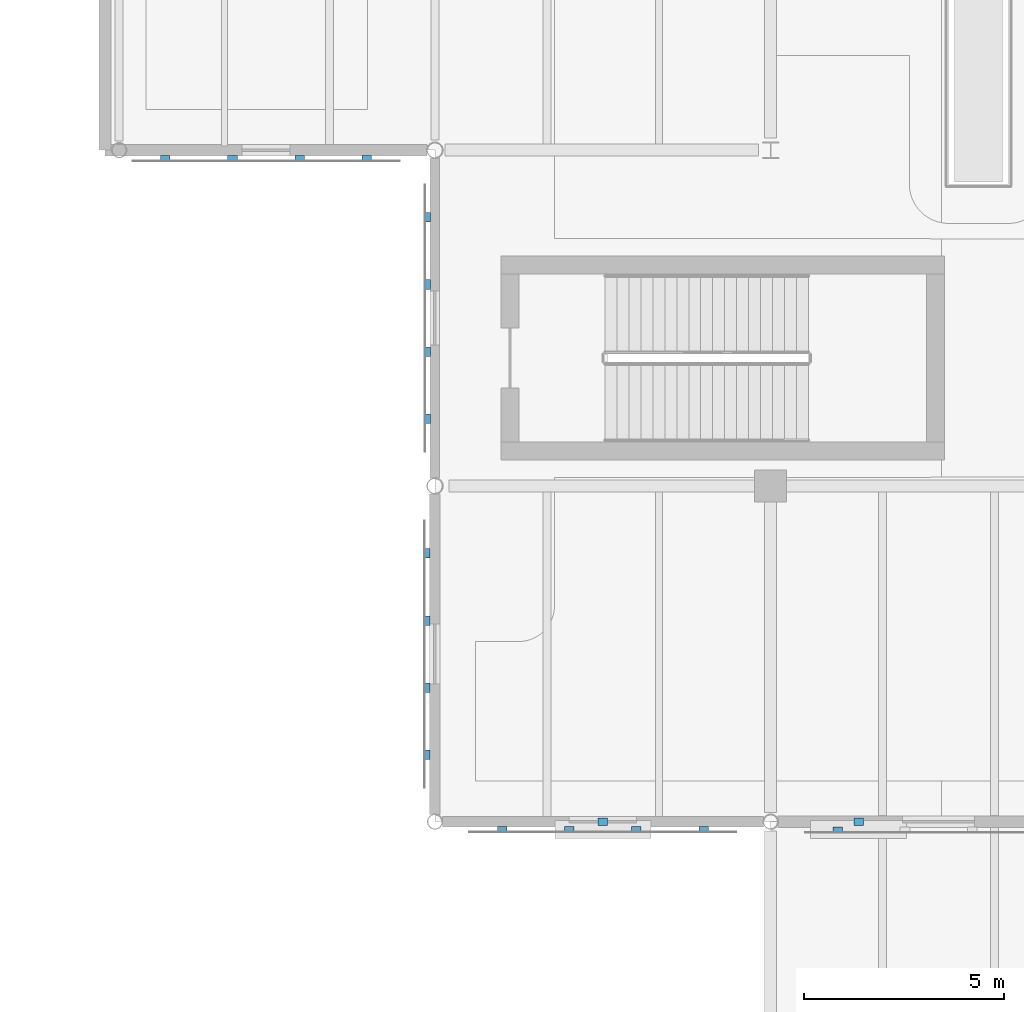
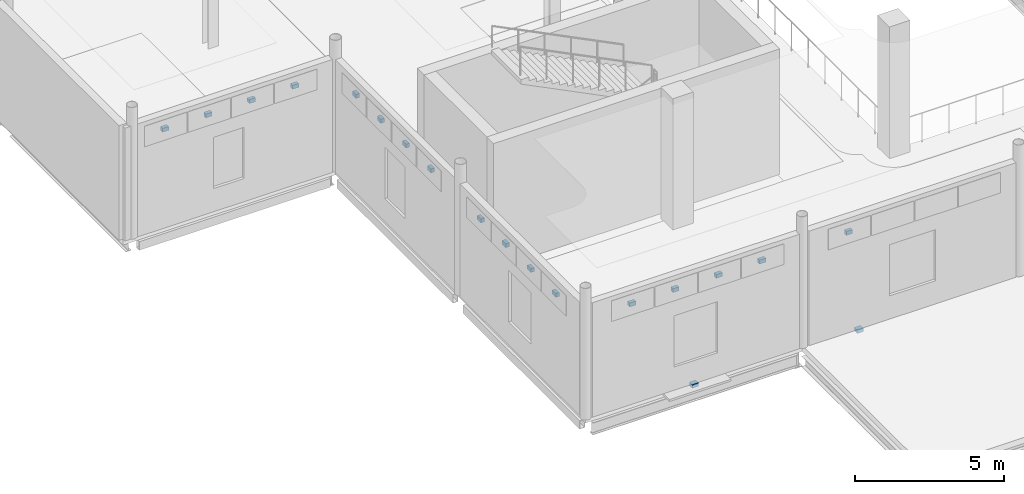
# One storey, part 76 of 110: 19 discrete accessories.
"""IFC4 building model written with IfcOpenShell, lengths in metres."""

import ifcopenshell
import ifcopenshell.guid

model = None  # the IFC model being written
_history = None  # IfcOwnerHistory: only IFC2X3 demands one
_inside = {}  # id of a spatial element -> (the spatial element, [elements in it])
_under = {}  # id of a project, library or spatial element -> (it, [spatial elements below it])
_declared = {}  # id of a project -> (the project, [libraries it declares])
_typed = {}  # id of a type object -> (the type object, [elements of that type])
_made_of = {}  # id of a material, layer set ... -> (it, [elements and type objects made of it])


def new_model(schema):
    """Start an empty IFC model of exactly this schema.

    Asked for "IFC4X3", IfcOpenShell would pick the latest addendum, in which some entities
    have other attributes; the version numbers below select the first issue.
    IFC2X3 requires an IfcOwnerHistory on every rooted entity: one is made here for all.
    """
    global model, _history
    if schema == "IFC4X3":
        model = ifcopenshell.file(schema_version=(4, 3, 0, 0))
    else:
        model = ifcopenshell.file(schema=schema)
    _inside.clear()
    _under.clear()
    _declared.clear()
    _typed.clear()
    _made_of.clear()
    _history = None
    if model.schema == "IFC2X3":
        org = make("IfcOrganization", Name="unknown")
        user = make(
            "IfcPersonAndOrganization",
            ThePerson=make("IfcPerson", FamilyName="unknown"),
            TheOrganization=org,
        )
        app = make(
            "IfcApplication",
            ApplicationDeveloper=org,
            Version="unknown",
            ApplicationFullName="unknown",
            ApplicationIdentifier="unknown",
        )
        _history = make(
            "IfcOwnerHistory",
            OwningUser=user,
            OwningApplication=app,
            ChangeAction="ADDED",
            CreationDate=0,
        )
    return model


def make(cls, **values):
    """One entity of the class cls with the attributes given. An attribute that is None is left unset."""
    return model.create_entity(
        cls, **{name: value for name, value in values.items() if value is not None}
    )


def rooted(cls, **values):
    """An entity with a GlobalId (a new one), such as an element, a storey or a relation."""
    return make(cls, GlobalId=ifcopenshell.guid.new(), OwnerHistory=_history, **values)


def si_unit(unit_type, name, prefix=None):
    """IfcSIUnit, for example si_unit("LENGTHUNIT", "METRE", prefix="MILLI")."""
    return make("IfcSIUnit", UnitType=unit_type, Prefix=prefix, Name=name)


def assignment(units):
    """IfcUnitAssignment: the units of a project."""
    return None if units is None else make("IfcUnitAssignment", Units=units)


def point(xyz):
    """IfcCartesianPoint."""
    return None if xyz is None else make("IfcCartesianPoint", Coordinates=xyz)


def direction(xyz):
    """IfcDirection."""
    return None if xyz is None else make("IfcDirection", DirectionRatios=xyz)


def frame(location, z_axis=None, x_axis=None):
    """IfcAxis2Placement3D, a coordinate frame: its origin and axes. An axis left out is left unset."""
    return make(
        "IfcAxis2Placement3D",
        Location=point(location),
        Axis=direction(z_axis),
        RefDirection=direction(x_axis),
    )


def frame_2d(location, x_axis=None):
    """IfcAxis2Placement2D, a coordinate frame in the plane: its origin and x axis."""
    return make(
        "IfcAxis2Placement2D", Location=point(location), RefDirection=direction(x_axis)
    )


def origin():
    """The frame at (0, 0, 0) with its axes left unset."""
    return frame((0.0, 0.0, 0.0))


def origin_2d():
    """The frame at (0, 0) in the plane with its x axis left unset."""
    return frame_2d((0.0, 0.0))


def place(relative_to, where):
    """IfcLocalPlacement: puts the frame where relative to a parent placement (None: the world)."""
    return make(
        "IfcLocalPlacement", PlacementRelTo=relative_to, RelativePlacement=where
    )


def context(
    kind, dimensions, precision=None, world=None, true_north=None, identifier=None
):
    """IfcGeometricRepresentationContext, for example the 3D "Model" context."""
    return make(
        "IfcGeometricRepresentationContext",
        ContextIdentifier=identifier,
        ContextType=kind,
        CoordinateSpaceDimension=dimensions,
        Precision=precision,
        WorldCoordinateSystem=world,
        TrueNorth=true_north,
    )


def subcontext(parent, identifier, kind, view, scale=None):
    """IfcGeometricRepresentationSubContext, for example "Body" below "Model"."""
    return make(
        "IfcGeometricRepresentationSubContext",
        ContextIdentifier=identifier,
        ContextType=kind,
        ParentContext=parent,
        TargetScale=scale,
        TargetView=view,
    )


def project(units=None, contexts=None):
    """IfcProject with its units and contexts."""
    return rooted(
        "IfcProject",
        Name="project",
        RepresentationContexts=contexts,
        UnitsInContext=assignment(units),
    )


def spatial(cls, under=None, at=None, **own):
    """A site, building, storey or space (cls), placed at a placement, below another one or the project."""
    s = rooted(cls, ObjectPlacement=at, **own)
    if under is not None:
        _under.setdefault(under.id(), (under, []))[1].append(s)
    return s


def profile(cls, at=None, kind="AREA", **sizes):
    """A parametric profile (cls). Its sizes go by their IFC names, for example OverallWidth=200.0."""
    return make(cls, ProfileType=kind, Position=at, **sizes)


def rectangle(**sizes):
    """IfcRectangleProfileDef."""
    return profile("IfcRectangleProfileDef", **sizes)


def extrude(swept, where, along, depth):
    """IfcExtrudedAreaSolid: the profile swept, set in the frame where, extruded along a direction by depth."""
    return make(
        "IfcExtrudedAreaSolid",
        SweptArea=swept,
        Position=where,
        ExtrudedDirection=direction(along),
        Depth=depth,
    )


def shape(context_of_items, identifier, shape_type, items):
    """IfcShapeRepresentation: the items that make up one representation, for example the "Body"."""
    return make(
        "IfcShapeRepresentation",
        ContextOfItems=context_of_items,
        RepresentationIdentifier=identifier,
        RepresentationType=shape_type,
        Items=items,
    )


def material(Name=None, Category=None):
    """IfcMaterial."""
    return make("IfcMaterial", Name=Name, Category=Category)


def made_of(thing, what):
    """Note that an element or type object is made of a material, layer set ...; save() writes the relation."""
    if what is not None:
        _made_of.setdefault(what.id(), (what, []))[1].append(thing)
    return thing


def type_object(cls, material=None, **own):
    """A type object (cls), such as IfcWallType, which elements share."""
    return made_of(rooted(cls, **own), material)


def element(
    cls,
    number,
    at=None,
    inside=None,
    cuts=None,
    type_object=None,
    material=None,
    context=None,
    identifier="Body",
    shape_type=None,
    held_by="IfcProductDefinitionShape",
    body=None,
    shapes=None,
    **own,
):
    """One element of the class cls, such as IfcWall. Its Tag is "e" and its number.

    at: its placement. inside: the storey or other place that contains it. cuts: it is an
    opening in that element (IfcRelVoidsElement). A single representation is given by context,
    identifier, shape_type and body (its items); several are given by shapes. held_by: the class
    of the entity that holds the representations. save() writes the other relations.
    """
    e = rooted(cls, Tag="e%d" % number, ObjectPlacement=at, **own)
    if body is not None:
        shapes = [shape(context, identifier, shape_type, body)]
    if shapes is not None:
        e.Representation = make(held_by, Representations=shapes)
    if inside is not None:
        _inside.setdefault(inside.id(), (inside, []))[1].append(e)
    if cuts is not None:
        rooted(
            "IfcRelVoidsElement", RelatingBuildingElement=cuts, RelatedOpeningElement=e
        )
    if type_object is not None:
        _typed.setdefault(type_object.id(), (type_object, []))[1].append(e)
    return made_of(e, material)


def aggregate(whole, parts):
    """IfcRelAggregates: a whole, such as a stair, and the parts it consists of."""
    return rooted("IfcRelAggregates", RelatingObject=whole, RelatedObjects=parts)


def save(model, path):
    """Write the relations noted so far, then the file.

    IfcRelAggregates (storeys below a building ...), IfcRelContainedInSpatialStructure (elements
    in a storey), IfcRelDefinesByType, IfcRelAssociatesMaterial and IfcRelDeclares: one each for
    every whole, place, type object, material and project.
    """
    for whole, parts in _under.values():
        aggregate(whole, parts)
    for where, things in _inside.values():
        rooted(
            "IfcRelContainedInSpatialStructure",
            RelatedElements=things,
            RelatingStructure=where,
        )
    for kind, things in _typed.values():
        rooted("IfcRelDefinesByType", RelatedObjects=things, RelatingType=kind)
    for what, things in _made_of.values():
        rooted("IfcRelAssociatesMaterial", RelatedObjects=things, RelatingMaterial=what)
    for by, libraries in _declared.values():
        rooted("IfcRelDeclares", RelatingContext=by, RelatedDefinitions=libraries)
    model.write(path)


model = new_model("IFC4")

# Units and contexts
model_context = context("Model", 3, precision=1e-05, world=origin(), true_north=direction((0.0, 1.0)))
body_context = subcontext(model_context, "Body", "Model", "MODEL_VIEW")
ifc_project = project(units=[si_unit("LENGTHUNIT", "METRE"), si_unit("AREAUNIT", "SQUARE_METRE"), si_unit("VOLUMEUNIT", "CUBIC_METRE"), si_unit("PLANEANGLEUNIT", "RADIAN"), si_unit("MASSUNIT", "GRAM", prefix="KILO"), si_unit("THERMODYNAMICTEMPERATUREUNIT", "KELVIN")], contexts=[model_context])

# Site, building, storey
site_placement = place(None, origin())
site = spatial("IfcSite", under=ifc_project, at=site_placement, CompositionType="ELEMENT")
building_placement = place(site_placement, origin())
building = spatial("IfcBuilding", under=site, at=building_placement, Name="Lustrewick Department Store", CompositionType="ELEMENT")
storey_placement = place(building_placement, frame((0.0, 0.0, 6.0)))
storey = spatial("IfcBuildingStorey", under=building, at=storey_placement, Name="L02", CompositionType="ELEMENT", Elevation=6.0)

# Discrete accessories
ifc_material = material(Name="Anodized filigree aluminium 6061-T6", Category="aluminium")
discrete_accessory_type = type_object("IfcDiscreteAccessoryType", Name="BRK-FIL", PredefinedType="BRACKET", material=ifc_material)
for number, where, z_axis, x_axis, name in (
    (1, (110.85595703125, 25.0, 4.05126953125), (0.0, 0.0, 1.0), (1.0, 0.0, 0.0), "L02 Filigree Stand-Off Bracket 0162"),
    (2, (112.535888671875, 25.0, 4.05126953125), (0.0, 0.0, 1.0), (1.0, 0.0, 0.0), "L02 Filigree Stand-Off Bracket 0163"),
    (3, (114.216064453125, 25.0, 4.05126953125), (0.0, 0.0, 1.0), (1.0, 0.0, 0.0), "L02 Filigree Stand-Off Bracket 0164"),
    (4, (115.89599609375, 25.0, 4.05126953125), (0.0, 0.0, 1.0), (1.0, 0.0, 0.0), "L02 Filigree Stand-Off Bracket 0165"),
    (5, (117.419921875, 23.52001953125, 4.05126953125), (0.0, 0.0, 1.0), (0.0, -1.0, 0.0), "L02 Filigree Stand-Off Bracket 0166"),
    (6, (117.419921875, 21.840087890625, 4.05126953125), (0.0, 0.0, 1.0), (0.0, -1.0, 0.0), "L02 Filigree Stand-Off Bracket 0167"),
    (7, (117.419921875, 20.159912109375, 4.05126953125), (0.0, 0.0, 1.0), (0.0, -1.0, 0.0), "L02 Filigree Stand-Off Bracket 0168"),
    (8, (117.419921875, 18.47998046875, 4.05126953125), (0.0, 0.0, 1.0), (0.0, -1.0, 0.0), "L02 Filigree Stand-Off Bracket 0169"),
    (9, (117.409912109375, 15.11279296875, 4.05126953125), (0.0, 0.0, 1.0), (0.0, -1.0, 0.0), "L02 Filigree Stand-Off Bracket 0170"),
    (10, (117.409912109375, 13.432861328125, 4.05126953125), (0.0, 0.0, 1.0), (0.0, -1.0, 0.0), "L02 Filigree Stand-Off Bracket 0171"),
    (11, (117.409912109375, 11.752685546875, 4.05126953125), (0.0, 0.0, 1.0), (0.0, -1.0, 0.0), "L02 Filigree Stand-Off Bracket 0172"),
    (12, (117.409912109375, 10.07275390625, 4.05126953125), (0.0, 0.0, 1.0), (0.0, -1.0, 0.0), "L02 Filigree Stand-Off Bracket 0173"),
    (13, (119.280029296875, 8.2099609375, 4.1171875), (0.0, 0.0, 1.0), (1.0, 0.0, 0.0), "L02 Filigree Stand-Off Bracket 0174"),
    (14, (120.9599609375, 8.2099609375, 4.1171875), (0.0, 0.0, 1.0), (1.0, 0.0, 0.0), "L02 Filigree Stand-Off Bracket 0175"),
    (15, (122.639892578125, 8.2099609375, 4.1171875), (0.0, 0.0, 1.0), (1.0, 0.0, 0.0), "L02 Filigree Stand-Off Bracket 0176"),
    (16, (124.320068359375, 8.2099609375, 4.1171875), (0.0, 0.0, 1.0), (1.0, 0.0, 0.0), "L02 Filigree Stand-Off Bracket 0177"),
    (17, (127.679931640625, 8.199951171875, 4.1171875), (0.0, 0.0, 1.0), (1.0, 0.0, 0.0), "L02 Filigree Stand-Off Bracket 0178"),
):
    element("IfcDiscreteAccessory", number, at=place(storey_placement, frame(where, z_axis=z_axis, x_axis=x_axis)), inside=storey, type_object=discrete_accessory_type, Name=name, PredefinedType="BRACKET", context=body_context, shape_type="SweptSolid", body=[
        extrude(rectangle(XDim=0.239990234375, YDim=0.139892578125, at=origin_2d()), origin(), (0.0, 0.0, 1.0), 0.159912109375),
    ])
for number, where, z_axis, x_axis, name in (
    (18, (121.800048828125, 8.39990234375, -0.18994140625), (0.0, 0.0, 1.0), (1.0, 0.0, 0.0), "L02 Sun Louvre Bracket 01"),
    (19, (128.199951171875, 8.39990234375, -0.18994140625), (0.0, 0.0, 1.0), (1.0, 0.0, 0.0), "L02 Sun Louvre Bracket 02"),
):
    element("IfcDiscreteAccessory", number, at=place(storey_placement, frame(where, z_axis=z_axis, x_axis=x_axis)), inside=storey, type_object=discrete_accessory_type, Name=name, PredefinedType="BRACKET", context=body_context, shape_type="SweptSolid", body=[
        extrude(rectangle(XDim=0.239990234375, YDim=0.199951171875, at=origin_2d()), origin(), (0.0, 0.0, 1.0), 0.139892578125),
    ])

save(model, "model.ifc")
